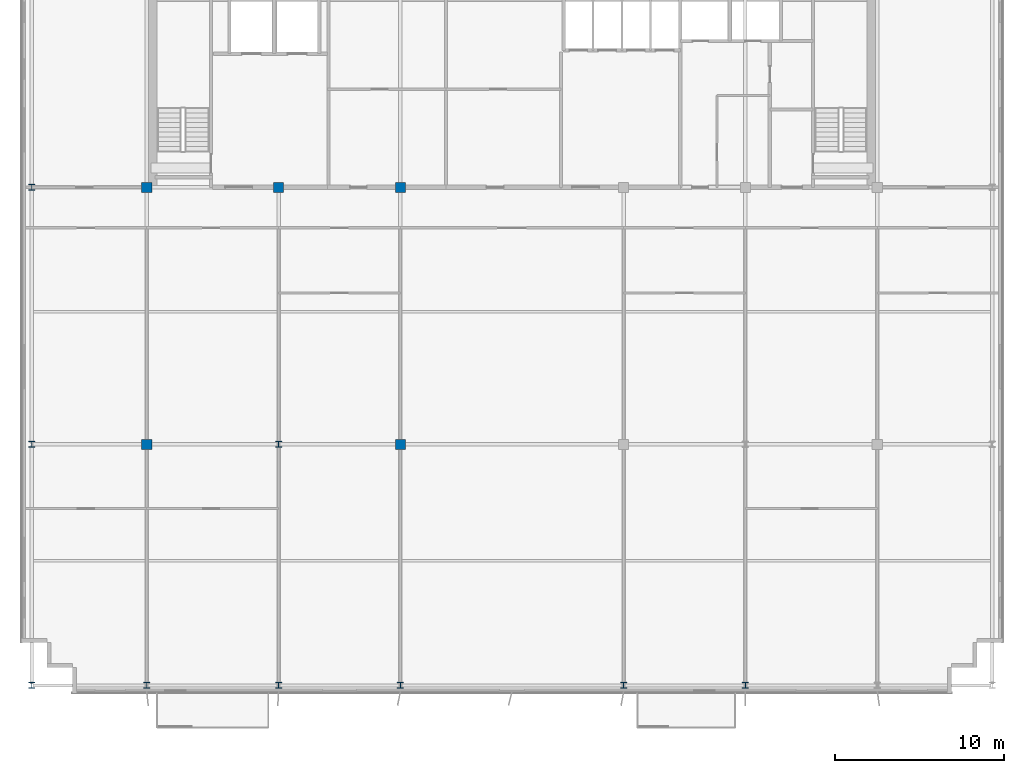
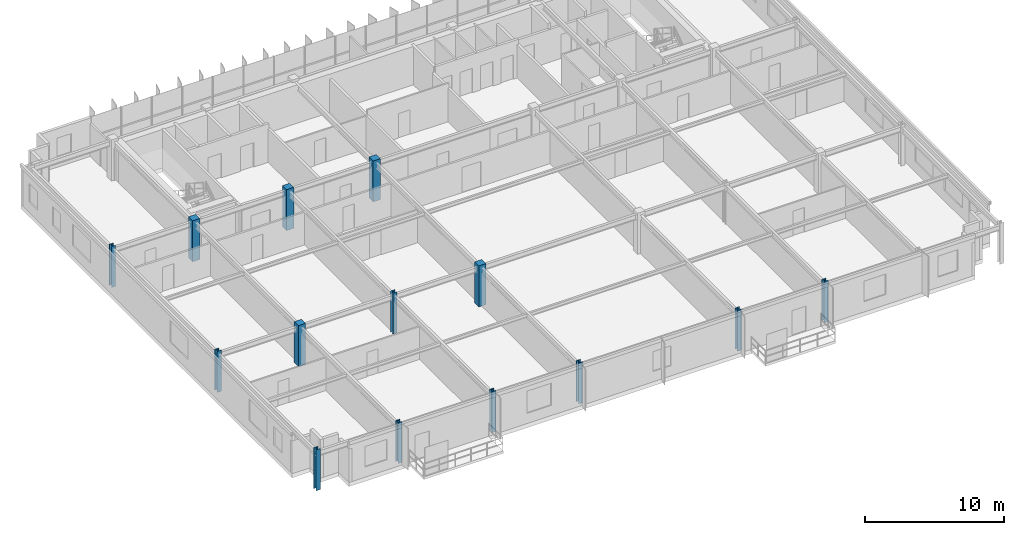
# One storey, part 1 of 21: 14 columns.
"""IFC4 building model written with IfcOpenShell, lengths in metres."""

from ifc_helpers import new_model, si_unit, direction, frame, origin, origin_2d, place, context, subcontext, project, spatial, rectangle, i_section, extrude, source, transform, mapped, material, material_profile, profile_set, type_object, element, save


model = new_model("IFC4")

# Units and contexts
model_context = context("Model", 3, precision=1e-05, world=origin(), true_north=direction((0.0, 1.0)))
body_context = subcontext(model_context, "Body", "Model", "MODEL_VIEW")
ifc_project = project(units=[si_unit("LENGTHUNIT", "METRE"), si_unit("AREAUNIT", "SQUARE_METRE"), si_unit("VOLUMEUNIT", "CUBIC_METRE"), si_unit("PLANEANGLEUNIT", "RADIAN"), si_unit("MASSUNIT", "GRAM", prefix="KILO")], contexts=[model_context])

# Site, building, storey
site_placement = place(None, origin())
site = spatial("IfcSite", under=ifc_project, at=site_placement, CompositionType="ELEMENT")
building_placement = place(site_placement, origin())
building = spatial("IfcBuilding", under=site, at=building_placement, Name="Trelvane Seafront Commons", CompositionType="ELEMENT")
storey_placement = place(building_placement, frame((0.0, 0.0, 248.699951171875)))
storey = spatial("IfcBuildingStorey", under=building, at=storey_placement, Name="L64", CompositionType="ELEMENT", Elevation=248.699951171875)

# Columns
ifc_material_1 = material(Name="Steel SM355 (S355)", Category="steel")
ifc_material_profile_1 = material_profile(ifc_material_1, i_section(OverallWidth=0.35009765625, OverallDepth=0.35009765625, WebThickness=0.01806640625, FlangeThickness=0.028076171875, at=origin_2d()), Name="HD-350x350x18x28")
ifc_profile_set_1 = profile_set([ifc_material_profile_1], Name="Steel SM355 (S355)")
column_type_1 = type_object("IfcColumnType", Name="STR-COL-HD350", PredefinedType="COLUMN", material=ifc_profile_set_1)
shared_shape_1 = source(origin(), body_context, "Body", "SweptSolid", [
    extrude(i_section(OverallWidth=0.35009765625, OverallDepth=0.35009765625, WebThickness=0.01806640625, FlangeThickness=0.028076171875, at=origin_2d()), origin(), (0.0, 0.0, 1.0), 3.60009765625),
])
for number, where, z_axis, x_axis, name in (
    (1, (8.800048828125, 3.949951171875, 0.0), (0.0, 0.0, 1.0), (1.0, 0.0, 0.0), "L64 Column TC-S8.8"),
    (2, (8.800048828125, 18.199951171875, 0.0), (0.0, 0.0, 1.0), (1.0, 0.0, 0.0), "L64 Column TC-M8.8"),
    (3, (8.800048828125, 33.39990234375, 0.0), (0.0, 0.0, 1.0), (1.0, 0.0, 0.0), "L64 Column TC-CS8.8"),
    (4, (15.60009765625, 3.949951171875, 0.0), (0.0, 0.0, 1.0), (1.0, 0.0, 0.0), "L64 Column TC-S15.6"),
    (5, (23.39990234375, 3.949951171875, 0.0), (0.0, 0.0, 1.0), (1.0, 0.0, 0.0), "L64 Column TC-S23.4"),
    (6, (23.39990234375, 18.199951171875, 0.0), (0.0, 0.0, 1.0), (1.0, 0.0, 0.0), "L64 Column TC-M23.4"),
    (7, (30.60009765625, 3.949951171875, 0.0), (0.0, 0.0, 1.0), (1.0, 0.0, 0.0), "L64 Column TC-S30.6"),
    (8, (43.800048828125, 3.949951171875, 0.0), (0.0, 0.0, 1.0), (1.0, 0.0, 0.0), "L64 Column TC-S43.8"),
    (9, (51.0, 3.949951171875, 0.0), (0.0, 0.0, 1.0), (1.0, 0.0, 0.0), "L64 Column TC-S51.0"),
):
    element("IfcColumn", number, at=place(storey_placement, frame(where, z_axis=z_axis, x_axis=x_axis)), inside=storey, type_object=column_type_1, Name=name, PredefinedType="COLUMN", context=body_context, shape_type="MappedRepresentation", body=[
        mapped(shared_shape_1, transform((0.0, 0.0, 0.0), x_axis=(1.0, 0.0, 0.0), y_axis=(0.0, 1.0, 0.0), z_axis=(0.0, 0.0, 1.0), scale=1.0)),
    ])
ifc_material_2 = material(Name="Concrete C50/60", Category="concrete")
ifc_material_profile_2 = material_profile(ifc_material_2, rectangle(XDim=0.60009765625, YDim=0.60009765625, at=origin_2d()), Name="RC-600x600")
ifc_profile_set_2 = profile_set([ifc_material_profile_2], Name="Concrete C50/60")
column_type_2 = type_object("IfcColumnType", Name="STR-COL-RC600", PredefinedType="COLUMN", material=ifc_profile_set_2)
shared_shape_2 = source(origin(), body_context, "Body", "SweptSolid", [
    extrude(rectangle(XDim=0.60009765625, YDim=0.60009765625, at=origin_2d()), origin(), (0.0, 0.0, 1.0), 3.60009765625),
])
for number, where, z_axis, x_axis, name in (
    (10, (15.60009765625, 18.199951171875, 0.0), (0.0, 0.0, 1.0), (1.0, 0.0, 0.0), "L64 Column TC-M15.6"),
    (11, (15.60009765625, 33.39990234375, 0.0), (0.0, 0.0, 1.0), (1.0, 0.0, 0.0), "L64 Column TC-CS15.6"),
    (12, (23.39990234375, 33.39990234375, 0.0), (0.0, 0.0, 1.0), (1.0, 0.0, 0.0), "L64 Column TC-CS23.4"),
    (13, (30.60009765625, 18.199951171875, 0.0), (0.0, 0.0, 1.0), (1.0, 0.0, 0.0), "L64 Column TC-M30.6"),
    (14, (30.60009765625, 33.39990234375, 0.0), (0.0, 0.0, 1.0), (1.0, 0.0, 0.0), "L64 Column TC-CS30.6"),
):
    element("IfcColumn", number, at=place(storey_placement, frame(where, z_axis=z_axis, x_axis=x_axis)), inside=storey, type_object=column_type_2, Name=name, PredefinedType="COLUMN", context=body_context, shape_type="MappedRepresentation", body=[
        mapped(shared_shape_2, transform((0.0, 0.0, 0.0), x_axis=(1.0, 0.0, 0.0), y_axis=(0.0, 1.0, 0.0), z_axis=(0.0, 0.0, 1.0), scale=1.0)),
    ])

save(model, "model.ifc")
